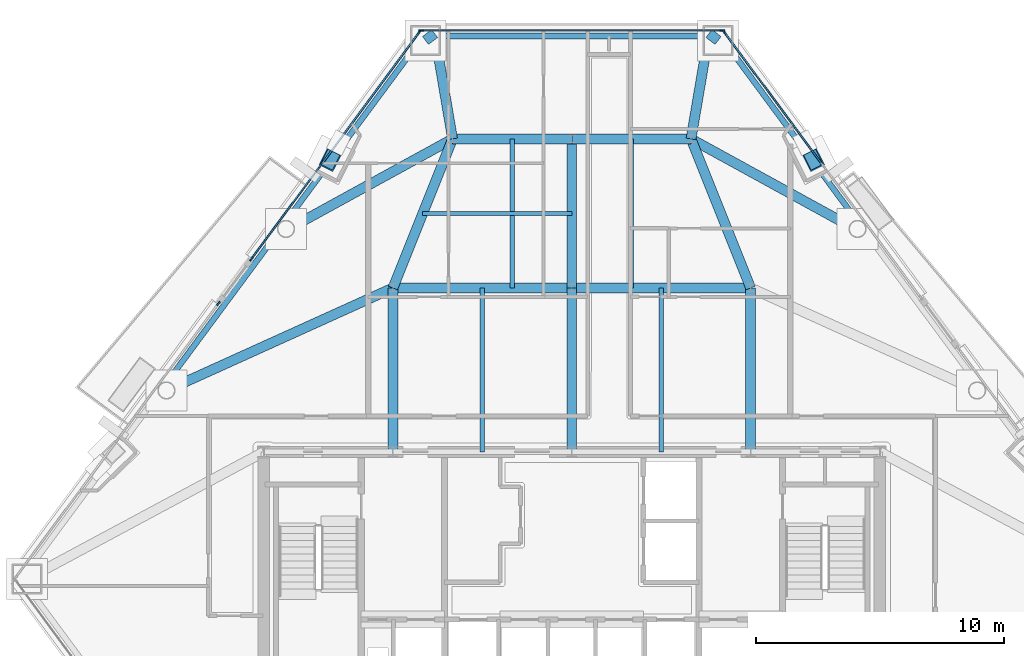
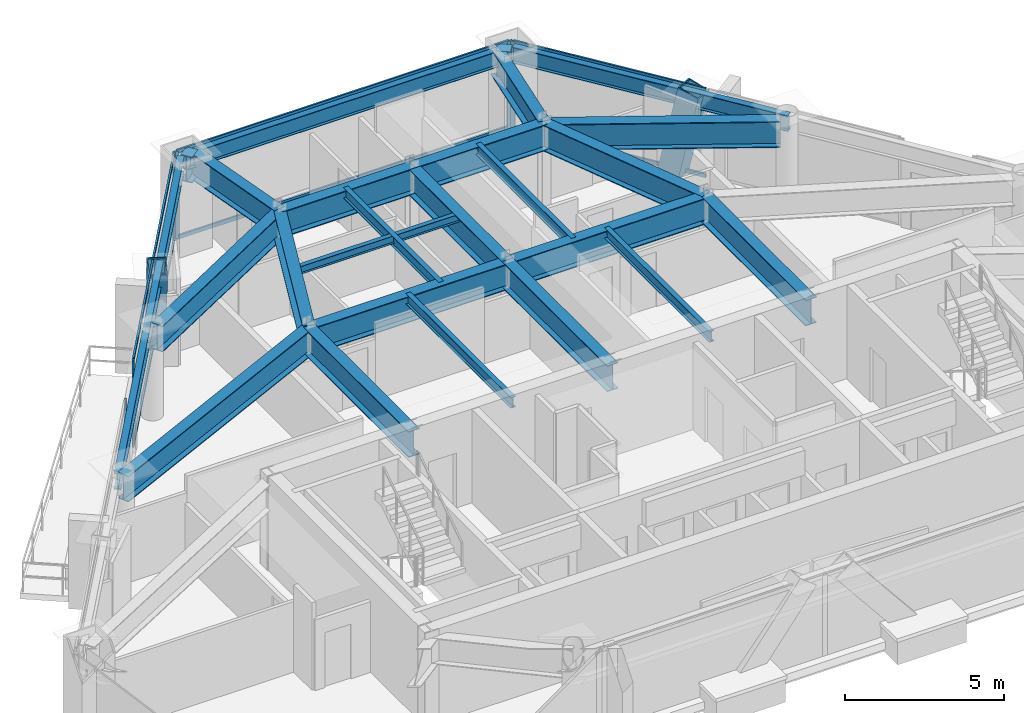
# One storey, part 4 of 11: 26 beams, 14 members, 4 elements without a shape of their own.
"""IFC4 building model written with IfcOpenShell, lengths in metres."""

from ifc_helpers import new_model, si_unit, direction, frame, origin, origin_2d, place, context, subcontext, project, spatial, rectangle, hollow_rectangle, i_section, extrude, material, layer, layer_set, material_profile, profile_set, type_object, element, aggregate, save


model = new_model("IFC4")

# Units and contexts
model_context = context("Model", 3, precision=1e-05, world=origin(), true_north=direction((0.0, 1.0)))
body_context = subcontext(model_context, "Body", "Model", "MODEL_VIEW")
ifc_project = project(units=[si_unit("LENGTHUNIT", "METRE"), si_unit("AREAUNIT", "SQUARE_METRE"), si_unit("VOLUMEUNIT", "CUBIC_METRE"), si_unit("PLANEANGLEUNIT", "RADIAN"), si_unit("MASSUNIT", "GRAM", prefix="KILO")], contexts=[model_context])

# Site, building, storey
site_placement = place(None, origin())
site = spatial("IfcSite", under=ifc_project, at=site_placement, CompositionType="ELEMENT")
building_placement = place(site_placement, origin())
building = spatial("IfcBuilding", under=site, at=building_placement, Name="Talgorran Terracotta Tower", CompositionType="ELEMENT")
storey_placement = place(building_placement, frame((0.0, 0.0, 110.39990234375)))
storey = spatial("IfcBuildingStorey", under=building, at=storey_placement, Name="L28", CompositionType="ELEMENT", Elevation=110.39990234375)

# Beams
ifc_material_1 = material(Name="Steel Grade 350 (350L0)", Category="steel")
ifc_material_profile_1 = material_profile(ifc_material_1, i_section(OverallWidth=0.39990234375, OverallDepth=1.0, WebThickness=0.01611328125, FlangeThickness=0.031005859375, at=origin_2d()), Name="1000WB296")
ifc_profile_set_1 = profile_set([ifc_material_profile_1], Name="Steel Grade 350 (350L0)")
beam_type_1 = type_object("IfcBeamType", Name="BM_1000WB296", PredefinedType="BEAM", material=ifc_profile_set_1)
beam_1_placement = place(storey_placement, frame((5.889892578125, 12.3623046875, 2.85009765625), z_axis=(-0.795856392013, 0.605485427811, 0.0), x_axis=(-0.605485427811, -0.795856392013, 0.0)))
element("IfcBeam", 1, at=beam_1_placement, inside=storey, type_object=beam_type_1, Name="L28 Perimeter Step Girder 9A", PredefinedType="BEAM", context=body_context, shape_type="SweptSolid", body=[
    extrude(i_section(OverallWidth=0.39990234375, OverallDepth=1.0, WebThickness=0.01611328125, FlangeThickness=0.031005859375, at=origin_2d()), origin(), (0.0, 0.0, 1.0), 0.461669921875),
])
beam_2_placement = place(storey_placement, frame((5.5224609375, 12.641845703125, 2.85009765625), z_axis=(-0.167884989688, -0.985806588656, 0.0), x_axis=(0.985806588656, -0.167884989688, 0.0)))
element("IfcBeam", 2, at=beam_2_placement, inside=storey, type_object=beam_type_1, Name="L28 Perimeter Step Girder 9B", PredefinedType="BEAM", context=body_context, shape_type="SweptSolid", body=[
    extrude(i_section(OverallWidth=0.39990234375, OverallDepth=1.0, WebThickness=0.01611328125, FlangeThickness=0.031005859375, at=origin_2d()), origin(), (0.0, 0.0, 1.0), 4.302978515625),
])
beam_3_placement = place(storey_placement, frame((-5.889892578125, 12.3623046875, 2.85009765625), z_axis=(0.795856392013, 0.605485427811, 0.0), x_axis=(-0.605485427811, 0.795856392013, 0.0)))
element("IfcBeam", 3, at=beam_3_placement, inside=storey, type_object=beam_type_1, Name="L28 Perimeter Step Girder 10A", PredefinedType="BEAM", context=body_context, shape_type="SweptSolid", body=[
    extrude(i_section(OverallWidth=0.39990234375, OverallDepth=1.0, WebThickness=0.01611328125, FlangeThickness=0.031005859375, at=origin_2d()), origin(), (0.0, 0.0, 1.0), 0.461669921875),
])
beam_4_placement = place(storey_placement, frame((-5.5224609375, 12.641845703125, 2.85009765625), z_axis=(0.167884989688, -0.985806588656, 0.0), x_axis=(0.985806588656, 0.167884989688, 0.0)))
element("IfcBeam", 4, at=beam_4_placement, inside=storey, type_object=beam_type_1, Name="L28 Perimeter Step Girder 10B", PredefinedType="BEAM", context=body_context, shape_type="SweptSolid", body=[
    extrude(i_section(OverallWidth=0.39990234375, OverallDepth=1.0, WebThickness=0.01611328125, FlangeThickness=0.031005859375, at=origin_2d()), origin(), (0.0, 0.0, 1.0), 4.302978515625),
])
for number, where, z_axis, x_axis, name in (
    (5, (-7.199951171875, -4.199951171875, 2.85009765625), (0.0, 1.0, 0.0), (-1.0, 0.0, 0.0), "L28 Floor Girder G01"),
    (6, (0.0, -4.199951171875, 2.85009765625), (0.0, 1.0, 0.0), (-1.0, 0.0, 0.0), "L28 Floor Girder G02"),
    (7, (7.199951171875, -4.199951171875, 2.85009765625), (0.0, 1.0, 0.0), (-1.0, 0.0, 0.0), "L28 Floor Girder G03"),
):
    element("IfcBeam", number, at=place(storey_placement, frame(where, z_axis=z_axis, x_axis=x_axis)), inside=storey, type_object=beam_type_1, Name=name, PredefinedType="BEAM", context=body_context, shape_type="SweptSolid", body=[
        extrude(i_section(OverallWidth=0.39990234375, OverallDepth=1.0, WebThickness=0.01611328125, FlangeThickness=0.031005859375, at=origin_2d()), origin(), (0.0, 0.0, 1.0), 6.599853515625),
    ])
for number, where, z_axis, x_axis, name in (
    (8, (-7.199951171875, 2.39990234375, 2.85009765625), (1.0, 0.0, 0.0), (0.0, 1.0, 0.0), "L28 Floor Girder G04"),
    (9, (0.0, 2.39990234375, 2.85009765625), (1.0, 0.0, 0.0), (0.0, 1.0, 0.0), "L28 Floor Girder G05"),
):
    element("IfcBeam", number, at=place(storey_placement, frame(where, z_axis=z_axis, x_axis=x_axis)), inside=storey, type_object=beam_type_1, Name=name, PredefinedType="BEAM", context=body_context, shape_type="SweptSolid", body=[
        extrude(i_section(OverallWidth=0.39990234375, OverallDepth=1.0, WebThickness=0.01611328125, FlangeThickness=0.031005859375, at=origin_2d()), origin(), (0.0, 0.0, 1.0), 7.199951171875),
    ])
beam_5_placement = place(storey_placement, frame((-7.199951171875, 2.39990234375, 2.85009765625), z_axis=(-0.910987725051, -0.412433467126, 0.0), x_axis=(0.412433467126, -0.910987725051, 0.0)))
element("IfcBeam", 10, at=beam_5_placement, inside=storey, type_object=beam_type_1, Name="L28 Floor Girder G06", PredefinedType="BEAM", context=body_context, shape_type="SweptSolid", body=[
    extrude(i_section(OverallWidth=0.39990234375, OverallDepth=1.0, WebThickness=0.01611328125, FlangeThickness=0.031005859375, at=origin_2d()), origin(), (0.0, 0.0, 1.0), 10.010009765625),
])
beam_6_placement = place(storey_placement, frame((-7.199951171875, 2.39990234375, 2.85009765625), z_axis=(0.371377648723, 0.928481901832, 0.0), x_axis=(-0.928481901832, 0.371377648723, 0.0)))
element("IfcBeam", 11, at=beam_6_placement, inside=storey, type_object=beam_type_1, Name="L28 Floor Girder G08", PredefinedType="BEAM", context=body_context, shape_type="SweptSolid", body=[
    extrude(i_section(OverallWidth=0.39990234375, OverallDepth=1.0, WebThickness=0.01611328125, FlangeThickness=0.031005859375, at=origin_2d()), origin(), (0.0, 0.0, 1.0), 6.462158203125),
])
beam_7_placement = place(storey_placement, frame((0.0, 2.39990234375, 2.85009765625), z_axis=(0.0, 1.0, 0.0), x_axis=(-1.0, 0.0, 0.0)))
element("IfcBeam", 12, at=beam_7_placement, inside=storey, type_object=beam_type_1, Name="L28 Floor Girder G09", PredefinedType="BEAM", context=body_context, shape_type="SweptSolid", body=[
    extrude(i_section(OverallWidth=0.39990234375, OverallDepth=1.0, WebThickness=0.01611328125, FlangeThickness=0.031005859375, at=origin_2d()), origin(), (0.0, 0.0, 1.0), 6.0),
])
beam_8_placement = place(storey_placement, frame((7.199951171875, 2.39990234375, 2.85009765625), z_axis=(-0.371377648723, 0.928481901832, 0.0), x_axis=(-0.928481901832, -0.371377648723, 0.0)))
element("IfcBeam", 13, at=beam_8_placement, inside=storey, type_object=beam_type_1, Name="L28 Floor Girder G10", PredefinedType="BEAM", context=body_context, shape_type="SweptSolid", body=[
    extrude(i_section(OverallWidth=0.39990234375, OverallDepth=1.0, WebThickness=0.01611328125, FlangeThickness=0.031005859375, at=origin_2d()), origin(), (0.0, 0.0, 1.0), 6.462158203125),
])
for number, where, z_axis, x_axis, name in (
    (14, (-4.800048828125, 8.39990234375, 2.85009765625), (1.0, 0.0, 0.0), (0.0, 1.0, 0.0), "L28 Floor Girder G11"),
    (15, (0.0, 8.39990234375, 2.85009765625), (1.0, 0.0, 0.0), (0.0, 1.0, 0.0), "L28 Floor Girder G12"),
):
    element("IfcBeam", number, at=place(storey_placement, frame(where, z_axis=z_axis, x_axis=x_axis)), inside=storey, type_object=beam_type_1, Name=name, PredefinedType="BEAM", context=body_context, shape_type="SweptSolid", body=[
        extrude(i_section(OverallWidth=0.39990234375, OverallDepth=1.0, WebThickness=0.01611328125, FlangeThickness=0.031005859375, at=origin_2d()), origin(), (0.0, 0.0, 1.0), 4.800048828125),
    ])
for number, where, z_axis, x_axis, name in (
    (16, (-4.800048828125, 8.39990234375, 2.85009765625), (-0.876707979091, -0.481022992587, 0.0), (0.481022992587, -0.876707979091, 0.0), "L28 Floor Girder G13"),
    (17, (4.800048828125, 8.39990234375, 2.85009765625), (0.876707979091, -0.481022992587, 0.0), (0.481022992587, 0.876707979091, 0.0), "L28 Floor Girder G14"),
):
    element("IfcBeam", number, at=place(storey_placement, frame(where, z_axis=z_axis, x_axis=x_axis)), inside=storey, type_object=beam_type_1, Name=name, PredefinedType="BEAM", context=body_context, shape_type="SweptSolid", body=[
        extrude(i_section(OverallWidth=0.39990234375, OverallDepth=1.0, WebThickness=0.01611328125, FlangeThickness=0.031005859375, at=origin_2d()), origin(), (0.0, 0.0, 1.0), 7.40966796875),
    ])
ifc_material_2 = material(Name="Steel S355 (300PLUS)", Category="steel")
ifc_material_profile_2 = material_profile(ifc_material_2, i_section(OverallWidth=0.177734375, OverallDepth=0.406494140625, WebThickness=0.0078125, FlangeThickness=0.0126953125, at=origin_2d()), Name="410UB59.7")
ifc_profile_set_2 = profile_set([ifc_material_profile_2], Name="Steel S355 (300PLUS)")
beam_type_2 = type_object("IfcBeamType", Name="BM_JS_410UB60", PredefinedType="JOIST", material=ifc_profile_set_2)
for number, where, z_axis, x_axis, name in (
    (18, (-3.60009765625, -4.199951171875, 3.14697265625), (0.0, 1.0, 0.0), (-1.0, 0.0, 0.0), "L28 Secondary Joist J01"),
    (19, (3.60009765625, -4.199951171875, 3.14697265625), (0.0, 1.0, 0.0), (-1.0, 0.0, 0.0), "L28 Secondary Joist J02"),
):
    element("IfcBeam", number, at=place(storey_placement, frame(where, z_axis=z_axis, x_axis=x_axis)), inside=storey, type_object=beam_type_2, Name=name, PredefinedType="JOIST", context=body_context, shape_type="SweptSolid", body=[
        extrude(i_section(OverallWidth=0.177734375, OverallDepth=0.406494140625, WebThickness=0.0078125, FlangeThickness=0.0126953125, at=origin_2d()), origin(), (0.0, 0.0, 1.0), 6.599853515625),
    ])
for number, where, z_axis, x_axis, name in (
    (20, (-2.39990234375, 2.39990234375, 3.14697265625), (0.0, 1.0, 0.0), (-1.0, 0.0, 0.0), "L28 Secondary Joist J03"),
    (21, (2.39990234375, 2.39990234375, 3.14697265625), (0.0, 1.0, 0.0), (-1.0, 0.0, 0.0), "L28 Secondary Joist J04"),
):
    element("IfcBeam", number, at=place(storey_placement, frame(where, z_axis=z_axis, x_axis=x_axis)), inside=storey, type_object=beam_type_2, Name=name, PredefinedType="JOIST", context=body_context, shape_type="SweptSolid", body=[
        extrude(i_section(OverallWidth=0.177734375, OverallDepth=0.406494140625, WebThickness=0.0078125, FlangeThickness=0.0126953125, at=origin_2d()), origin(), (0.0, 0.0, 1.0), 6.0),
    ])
ifc_material_profile_3 = material_profile(ifc_material_2, i_section(OverallWidth=0.1650390625, OverallDepth=0.303955078125, WebThickness=0.006103515625, FlangeThickness=0.01025390625, at=origin_2d()), Name="310UB40.4")
ifc_profile_set_3 = profile_set([ifc_material_profile_3], Name="Steel S355 (300PLUS)")
beam_type_3 = type_object("IfcBeamType", Name="BM_OL_310UB40", PredefinedType="BEAM", material=ifc_profile_set_3)
beam_9_placement = place(storey_placement, frame((-6.0, 5.39990234375, 3.197998046875), z_axis=(1.0, 0.0, 0.0), x_axis=(0.0, 1.0, 0.0)))
element("IfcBeam", 22, at=beam_9_placement, inside=storey, type_object=beam_type_3, Name="L28 Balcony Back-Span Tie Beam OL1", PredefinedType="BEAM", context=body_context, shape_type="SweptSolid", body=[
    extrude(i_section(OverallWidth=0.1650390625, OverallDepth=0.303955078125, WebThickness=0.006103515625, FlangeThickness=0.01025390625, at=origin_2d()), origin(), (0.0, 0.0, 1.0), 6.0),
])
ifc_material_profile_4 = material_profile(ifc_material_2, i_section(OverallWidth=0.22900390625, OverallDepth=0.611572265625, WebThickness=0.011962890625, FlangeThickness=0.01953125, at=origin_2d()), Name="610UB125")
ifc_profile_set_4 = profile_set([ifc_material_profile_4], Name="Steel S355 (300PLUS)")
beam_type_4 = type_object("IfcBeamType", Name="BM_SP_610UB125", PredefinedType="SPANDREL", material=ifc_profile_set_4)
beam_10_placement = place(storey_placement, frame((11.650146484375, 4.882080078125, 3.044189453125), z_axis=(-0.594910188286, 0.80379217953, 0.0), x_axis=(-0.80379217953, -0.594910188286, 0.0)))
element("IfcBeam", 23, at=beam_10_placement, inside=storey, type_object=beam_type_4, Name="L28 Perimeter Spandrel Beam FC4-MC5", PredefinedType="SPANDREL", context=body_context, shape_type="SweptSolid", body=[
    extrude(i_section(OverallWidth=0.22900390625, OverallDepth=0.611572265625, WebThickness=0.011962890625, FlangeThickness=0.01953125, at=origin_2d()), origin(), (0.0, 0.0, 1.0), 9.439208984375),
])
beam_11_placement = place(storey_placement, frame((5.889892578125, 12.542236328125, 3.044189453125), z_axis=(-1.0, 0.0, 0.0), x_axis=(0.0, -1.0, 0.0)))
element("IfcBeam", 24, at=beam_11_placement, inside=storey, type_object=beam_type_4, Name="L28 Perimeter Spandrel Beam MC5-MC6", PredefinedType="SPANDREL", context=body_context, shape_type="SweptSolid", body=[
    extrude(i_section(OverallWidth=0.22900390625, OverallDepth=0.611572265625, WebThickness=0.011962890625, FlangeThickness=0.01953125, at=origin_2d()), origin(), (0.0, 0.0, 1.0), 11.77978515625),
])
beam_12_placement = place(storey_placement, frame((-6.03466796875, 12.46923828125, 3.044189453125), z_axis=(-0.594910188286, -0.80379217953, 0.0), x_axis=(0.80379217953, -0.594910188286, 0.0)))
element("IfcBeam", 25, at=beam_12_placement, inside=storey, type_object=beam_type_4, Name="L28 Perimeter Spandrel Beam MC6-FC5", PredefinedType="SPANDREL", context=body_context, shape_type="SweptSolid", body=[
    extrude(i_section(OverallWidth=0.22900390625, OverallDepth=0.611572265625, WebThickness=0.011962890625, FlangeThickness=0.01953125, at=origin_2d()), origin(), (0.0, 0.0, 1.0), 9.439208984375),
])
beam_13_placement = place(storey_placement, frame((-11.650146484375, 4.882080078125, 3.044189453125), z_axis=(-0.594899157913, -0.803800343316, 0.0), x_axis=(0.803800343316, -0.594899157913, 0.0)))
element("IfcBeam", 26, at=beam_13_placement, inside=storey, type_object=beam_type_4, Name="L28 Perimeter Spandrel Beam FC5-FC6", PredefinedType="SPANDREL", context=body_context, shape_type="SweptSolid", body=[
    extrude(i_section(OverallWidth=0.22900390625, OverallDepth=0.611572265625, WebThickness=0.011962890625, FlangeThickness=0.01953125, at=origin_2d()), origin(), (0.0, 0.0, 1.0), 8.0908203125),
])

# Members
ifc_material_profile_5 = material_profile(ifc_material_1, hollow_rectangle(XDim=0.6201171875, YDim=0.780029296875, WallThickness=0.0419921875, at=origin_2d()), Name="WBOX780X620X42")
ifc_profile_set_5 = profile_set([ifc_material_profile_5], Name="Steel Grade 350 (350L0)")
member_type_1 = type_object("IfcMemberType", Name="MB_MEGA_780", PredefinedType="BRACE", material=ifc_profile_set_5)
for number, where, z_axis, x_axis, name in (
    (27, (9.382568359375, 8.24853515625, -0.02490234375), (0.09883325201, -0.196825966087, 0.975444271791), (0.893662617743, 0.448739485279, 0.0), "L28 Exterior Face Mega-Brace MB-2 (NEU)"),
    (28, (-9.382568359375, 8.24853515625, -0.02490234375), (-0.09883325201, -0.196825966087, 0.975444271791), (0.893662617743, -0.448739485279, 0.0), "L28 Exterior Face Mega-Brace MB-2 (NWU)"),
):
    element("IfcMember", number, at=place(storey_placement, frame(where, z_axis=z_axis, x_axis=x_axis)), inside=storey, type_object=member_type_1, Name=name, PredefinedType="BRACE", context=body_context, shape_type="SweptSolid", body=[
        extrude(hollow_rectangle(XDim=0.6201171875, YDim=0.780029296875, WallThickness=0.0419921875, at=origin_2d()), origin(), (0.0, 0.0, 1.0), 3.485595703125),
    ])

# Curtain wall, member
ifc_material_3 = material(Name="Unitised Low-E Double Glazing", Category="glass")
ifc_layer = layer(ifc_material_3, 0.199951171875, Name="CW_SYS2_RES_LOW")
ifc_layer_set = layer_set([ifc_layer], Name="Unitised Low-E Double Glazing")
curtain_wall_type = type_object("IfcCurtainWallType", Name="CW_SYS2_RES_LOW", PredefinedType="NOTDEFINED", material=ifc_layer_set)
curtain_wall_1_placement = place(storey_placement, origin())
curtain_wall_1 = element("IfcCurtainWall", 29, at=curtain_wall_1_placement, inside=storey, type_object=curtain_wall_type, Name="CW-L28-F41", PredefinedType="NOTDEFINED")
ifc_material_4 = material(Name="Architectural Aluminium 6063-T6", Category="aluminium")
ifc_material_profile_6 = material_profile(ifc_material_4, rectangle(XDim=0.06494140625, YDim=0.18505859375, at=origin_2d()), Name="CWM65X185")
ifc_profile_set_6 = profile_set([ifc_material_profile_6], Name="Architectural Aluminium 6063-T6")
member_type_2 = type_object("IfcMemberType", Name="MUL_65X185", PredefinedType="MULLION", material=ifc_profile_set_6)
member_1_placement = place(storey_placement, frame((6.134765625, 12.703857421875, 0.0), z_axis=(0.0, 0.0, 1.0), x_axis=(-0.803793418568, -0.594908514199, 0.0)))
member_1 = element("IfcMember", 30, at=member_1_placement, type_object=member_type_2, Name="CW-L28-41 mullion 3", PredefinedType="MULLION", context=body_context, shape_type="SweptSolid", body=[
    extrude(rectangle(XDim=0.06494140625, YDim=0.18505859375, at=origin_2d()), origin(), (0.0, 0.0, 1.0), 3.35009765625),
])

# Curtain wall, members
curtain_wall_2_placement = place(storey_placement, origin())
curtain_wall_2 = element("IfcCurtainWall", 31, at=curtain_wall_2_placement, inside=storey, type_object=curtain_wall_type, Name="CW-L28-F4", PredefinedType="NOTDEFINED")
member_2_placement = place(storey_placement, frame((6.05908203125, 12.76220703125, 0.0), z_axis=(0.0, 0.0, 1.0), x_axis=(0.0, -1.0, 0.0)))
member_2 = element("IfcMember", 32, at=member_2_placement, type_object=member_type_2, Name="CW-L28-4 mullion 1", PredefinedType="MULLION", context=body_context, shape_type="SweptSolid", body=[
    extrude(rectangle(XDim=0.06494140625, YDim=0.18505859375, at=origin_2d()), origin(), (0.0, 0.0, 1.0), 3.35009765625),
])
member_3_placement = place(storey_placement, frame((-6.05908203125, 12.76220703125, 0.0), z_axis=(0.0, 0.0, 1.0), x_axis=(0.0, -1.0, 0.0)))
member_3 = element("IfcMember", 33, at=member_3_placement, type_object=member_type_2, Name="CW-L28-4 mullion 2", PredefinedType="MULLION", context=body_context, shape_type="SweptSolid", body=[
    extrude(rectangle(XDim=0.06494140625, YDim=0.18505859375, at=origin_2d()), origin(), (0.0, 0.0, 1.0), 3.35009765625),
])

curtain_wall_3_placement = place(storey_placement, origin())
curtain_wall_3 = element("IfcCurtainWall", 34, at=curtain_wall_3_placement, inside=storey, type_object=curtain_wall_type, Name="CW-L28-F60", PredefinedType="NOTDEFINED")
member_4_placement = place(storey_placement, frame((-6.134765625, 12.703857421875, 0.0), z_axis=(0.0, 0.0, 1.0), x_axis=(0.803796248217, -0.594904690982, 0.0)))
member_4 = element("IfcMember", 35, at=member_4_placement, type_object=member_type_2, Name="CW-L28-60 mullion 1", PredefinedType="MULLION", context=body_context, shape_type="SweptSolid", body=[
    extrude(rectangle(XDim=0.06494140625, YDim=0.18505859375, at=origin_2d()), origin(), (0.0, 0.0, 1.0), 3.35009765625),
])
member_5_placement = place(storey_placement, frame((-12.90087890625, 3.56201171875, 0.0), z_axis=(0.0, 0.0, 1.0), x_axis=(0.803796248217, -0.594904690982, 0.0)))
member_5 = element("IfcMember", 36, at=member_5_placement, type_object=member_type_2, Name="CW-L28-60 mullion 2", PredefinedType="MULLION", context=body_context, shape_type="SweptSolid", body=[
    extrude(rectangle(XDim=0.06494140625, YDim=0.18505859375, at=origin_2d()), origin(), (0.0, 0.0, 1.0), 3.35009765625),
])

# Curtain wall, member
curtain_wall_4_placement = place(storey_placement, origin())
curtain_wall_4 = element("IfcCurtainWall", 37, at=curtain_wall_4_placement, inside=storey, type_object=curtain_wall_type, Name="CW-L28-F61", PredefinedType="NOTDEFINED")
member_6_placement = place(storey_placement, frame((-14.224609375, 1.7734375, 0.0), z_axis=(0.0, 0.0, 1.0), x_axis=(0.803790572236, -0.594912359919, 0.0)))
member_6 = element("IfcMember", 38, at=member_6_placement, type_object=member_type_2, Name="CW-L28-61 mullion 1", PredefinedType="MULLION", context=body_context, shape_type="SweptSolid", body=[
    extrude(rectangle(XDim=0.06494140625, YDim=0.18505859375, at=origin_2d()), origin(), (0.0, 0.0, 1.0), 3.35009765625),
])
aggregate(curtain_wall_4, [member_6])

# Member
ifc_material_profile_7 = material_profile(ifc_material_4, rectangle(XDim=0.06494140625, YDim=0.14990234375, at=origin_2d()), Name="CWT65X150")
ifc_profile_set_7 = profile_set([ifc_material_profile_7], Name="Architectural Aluminium 6063-T6")
member_type_3 = type_object("IfcMemberType", Name="TRN_65X150", PredefinedType="USERDEFINED", material=ifc_profile_set_7)
member_7_placement = place(storey_placement, frame((10.074462890625, 7.380859375, 0.03271484375), z_axis=(-0.594913862198, 0.803789460347, 0.0), x_axis=(-0.803789460347, -0.594913862198, 0.0)))
member_7 = element("IfcMember", 39, at=member_7_placement, type_object=member_type_3, Name="CW-L28-41 transom 2.1", ObjectType="TRANSOM", PredefinedType="USERDEFINED", context=body_context, shape_type="SweptSolid", body=[
    extrude(rectangle(XDim=0.06494140625, YDim=0.14990234375, at=origin_2d()), origin(), (0.0, 0.0, 1.0), 6.58984375),
])

member_8_placement = place(storey_placement, frame((10.074462890625, 7.380859375, 3.317626953125), z_axis=(-0.594913862198, 0.803789460347, 0.0), x_axis=(-0.803789460347, -0.594913862198, 0.0)))
member_8 = element("IfcMember", 40, at=member_8_placement, type_object=member_type_3, Name="CW-L28-41 transom 2.2", ObjectType="TRANSOM", PredefinedType="USERDEFINED", context=body_context, shape_type="SweptSolid", body=[
    extrude(rectangle(XDim=0.06494140625, YDim=0.14990234375, at=origin_2d()), origin(), (0.0, 0.0, 1.0), 6.58984375),
])

aggregate(curtain_wall_1, [member_1, member_7, member_8])

member_9_placement = place(storey_placement, frame((6.026611328125, 12.76220703125, 0.03271484375), z_axis=(-1.0, 0.0, 0.0), x_axis=(0.0, -1.0, 0.0)))
member_9 = element("IfcMember", 41, at=member_9_placement, type_object=member_type_3, Name="CW-L28-4 transom 1.1", ObjectType="TRANSOM", PredefinedType="USERDEFINED", context=body_context, shape_type="SweptSolid", body=[
    extrude(rectangle(XDim=0.06494140625, YDim=0.14990234375, at=origin_2d()), origin(), (0.0, 0.0, 1.0), 12.05322265625),
])

member_10_placement = place(storey_placement, frame((6.026611328125, 12.76220703125, 3.317626953125), z_axis=(-1.0, 0.0, 0.0), x_axis=(0.0, -1.0, 0.0)))
member_10 = element("IfcMember", 42, at=member_10_placement, type_object=member_type_3, Name="CW-L28-4 transom 1.2", ObjectType="TRANSOM", PredefinedType="USERDEFINED", context=body_context, shape_type="SweptSolid", body=[
    extrude(rectangle(XDim=0.06494140625, YDim=0.14990234375, at=origin_2d()), origin(), (0.0, 0.0, 1.0), 12.05322265625),
])

aggregate(curtain_wall_2, [member_2, member_3, member_9, member_10])

member_11_placement = place(storey_placement, frame((-6.154052734375, 12.677734375, 0.03271484375), z_axis=(-0.594913590895, -0.803789661148, 0.0), x_axis=(0.803789661148, -0.594913590895, 0.0)))
member_11 = element("IfcMember", 43, at=member_11_placement, type_object=member_type_3, Name="CW-L28-60 transom 1.1", ObjectType="TRANSOM", PredefinedType="USERDEFINED", context=body_context, shape_type="SweptSolid", body=[
    extrude(rectangle(XDim=0.06494140625, YDim=0.14990234375, at=origin_2d()), origin(), (0.0, 0.0, 1.0), 11.308349609375),
])

member_12_placement = place(storey_placement, frame((-6.154052734375, 12.677734375, 3.317626953125), z_axis=(-0.594913590895, -0.803789661148, 0.0), x_axis=(0.803789661148, -0.594913590895, 0.0)))
member_12 = element("IfcMember", 44, at=member_12_placement, type_object=member_type_3, Name="CW-L28-60 transom 1.2", ObjectType="TRANSOM", PredefinedType="USERDEFINED", context=body_context, shape_type="SweptSolid", body=[
    extrude(rectangle(XDim=0.06494140625, YDim=0.14990234375, at=origin_2d()), origin(), (0.0, 0.0, 1.0), 11.308349609375),
])

aggregate(curtain_wall_3, [member_4, member_5, member_11, member_12])

save(model, "model.ifc")
